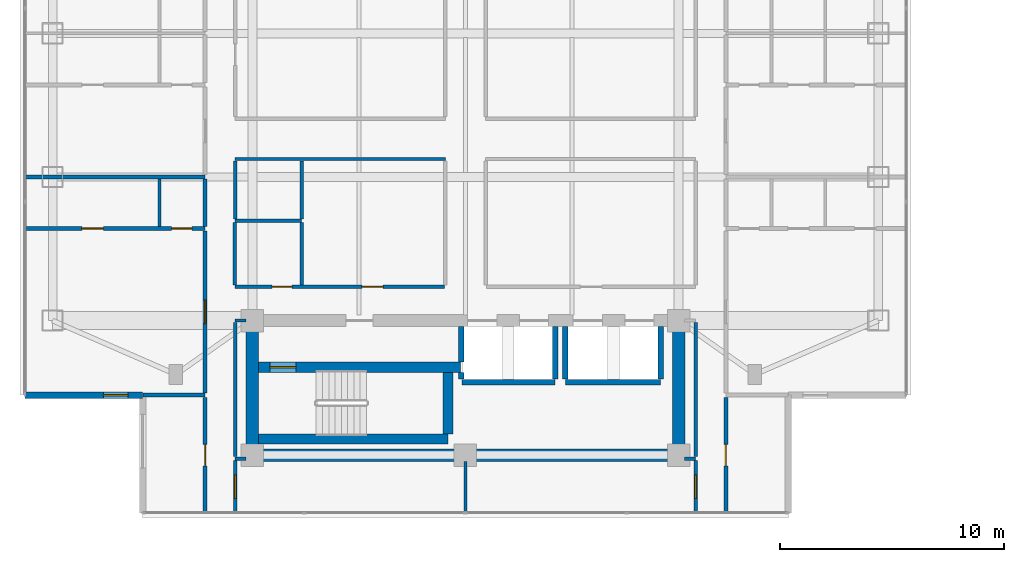
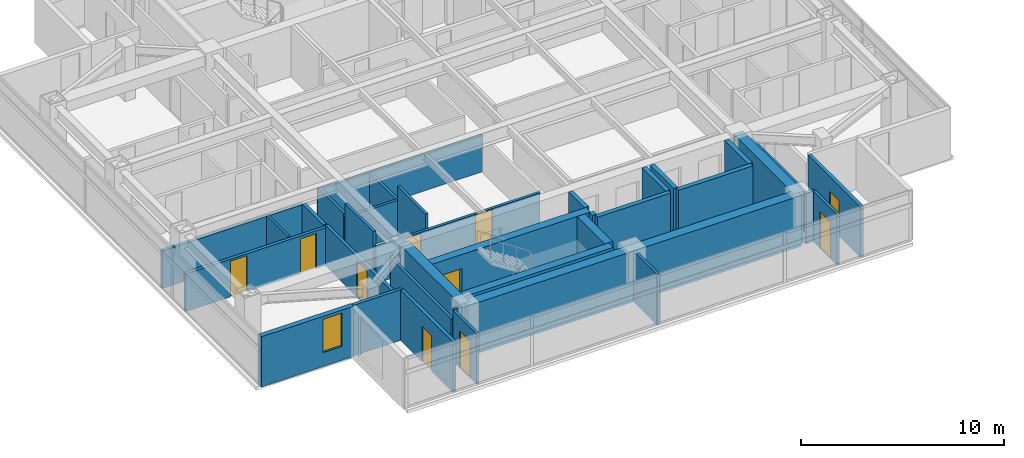
# One storey, part 12 of 24: 37 walls, 10 doors, 1 window, 11 openings.
"""IFC4 building model written with IfcOpenShell, lengths in metres."""

from ifc_helpers import new_model, si_unit, direction, frame, frame_2d, origin, place, context, subcontext, project, spatial, rectangle, extrude, material, layer, layer_set, type_object, element, fill, save


model = new_model("IFC4")

# Units and contexts
model_context = context("Model", 3, precision=1e-05, world=origin(), true_north=direction((0.0, 1.0)))
body_context = subcontext(model_context, "Body", "Model", "MODEL_VIEW")
ifc_project = project(units=[si_unit("LENGTHUNIT", "METRE"), si_unit("AREAUNIT", "SQUARE_METRE"), si_unit("VOLUMEUNIT", "CUBIC_METRE"), si_unit("PLANEANGLEUNIT", "RADIAN"), si_unit("MASSUNIT", "GRAM", prefix="KILO")], contexts=[model_context])

# Site, building, storey
site_placement = place(None, origin())
site = spatial("IfcSite", under=ifc_project, at=site_placement, CompositionType="ELEMENT")
building_placement = place(site_placement, origin())
building = spatial("IfcBuilding", under=site, at=building_placement, Name="Mirazonda Arch Towers", CompositionType="ELEMENT")
storey_placement = place(building_placement, frame((0.0, 0.0, 154.39990234375)))
storey = spatial("IfcBuildingStorey", under=building, at=storey_placement, Name="L43", CompositionType="ELEMENT", Elevation=154.39990234375)

# Wall
ifc_material_1 = material(Name="Concrete C50/60", Category="concrete")
ifc_layer_1 = layer(ifc_material_1, 0.449951171875, Name="WALL-CORE-450")
ifc_layer_set_1 = layer_set([ifc_layer_1], Name="Concrete C50/60")
wall_type_1 = type_object("IfcWallType", Name="WALL-CORE-450", PredefinedType="SHEAR", material=ifc_layer_set_1)
wall_1_placement = place(storey_placement, frame((11.27001953125, 13.1201171875, 0.0), z_axis=(0.0, 0.0, 1.0), x_axis=(1.0, 0.0, 0.0)))
element("IfcWall", 1, at=wall_1_placement, inside=storey, type_object=wall_type_1, Name="L43 Stair Core Shear Wall 003", PredefinedType="SHEAR", context=body_context, shape_type="SweptSolid", body=[
    extrude(rectangle(XDim=8.4599609375, YDim=0.449951171875, at=frame_2d((4.22998046875, 0.0))), origin(), (0.0, 0.0, 1.0), 3.050048828125),
])

# Wall, opening, door
wall_2_placement = place(storey_placement, frame((11.27001953125, 16.320068359375, 0.0), z_axis=(0.0, 0.0, 1.0), x_axis=(1.0, 0.0, 0.0)))
wall_2 = element("IfcWall", 2, at=wall_2_placement, inside=storey, type_object=wall_type_1, Name="L43 Stair Core Shear Wall 008", PredefinedType="SHEAR", context=body_context, shape_type="SweptSolid", body=[
    extrude(rectangle(XDim=9.010009765625, YDim=0.449951171875, at=frame_2d((4.5048828125, 0.0))), origin(), (0.0, 0.0, 1.0), 3.050048828125),
])
opening_1_placement = place(wall_2_placement, frame((0.52001953125, 0.0, 0.0)))
opening_1 = element("IfcOpeningElement", 3, at=opening_1_placement, cuts=wall_2, Name="Opening DR-135", PredefinedType="OPENING", context=body_context, shape_type="SweptSolid", body=[
    extrude(rectangle(XDim=1.14990234375, YDim=2.199951171875, at=frame_2d((0.574951171875, 1.10009765625))), frame((0.0, 0.23486328125, 0.0), z_axis=(0.0, -1.0, 0.0), x_axis=(1.0, 0.0, 0.0)), (0.0, 0.0, 1.0), 0.469970703125),
])
ifc_material_2 = material(Name="Architectural Brushed Steel S355", Category="steel")
door_type_1 = type_object("IfcDoorType", Name="DOOR-STAIR-FD90-1150", OperationType="NOTDEFINED", PredefinedType="DOOR", material=ifc_material_2)
door_1_placement = place(opening_1_placement, origin())
door_1 = element("IfcDoor", 4, at=door_1_placement, inside=storey, type_object=door_type_1, Name="L43 Protected Exit Stair South Door", OperationType="SINGLE_SWING_LEFT", OverallHeight=2.199951171875, OverallWidth=1.14990234375, PredefinedType="DOOR", context=body_context, shape_type="SweptSolid", body=[
    extrude(rectangle(XDim=1.14990234375, YDim=2.199951171875, at=frame_2d((0.574951171875, 1.10009765625))), frame((0.0, 0.02490234375, 0.0), z_axis=(0.0, -1.0, 0.0), x_axis=(1.0, 0.0, 0.0)), (0.0, 0.0, 1.0), 0.050048828125),
])
fill(opening_1, door_1)

# Walls
wall_3_placement = place(storey_placement, frame((19.72998046875, 13.35498046875, 0.0), z_axis=(0.0, 0.0, 1.0), x_axis=(0.0, 1.0, 0.0)))
element("IfcWall", 5, at=wall_3_placement, inside=storey, type_object=wall_type_1, Name="L43 Stair Core Shear Wall 088", PredefinedType="SHEAR", context=body_context, shape_type="SweptSolid", body=[
    extrude(rectangle(XDim=2.72998046875, YDim=0.449951171875, at=frame_2d((1.364990234375, 0.0))), origin(), (0.0, 0.0, 1.0), 3.050048828125),
])
ifc_layer_2 = layer(ifc_material_1, 0.550048828125, Name="WALL-CORE-550")
ifc_layer_set_2 = layer_set([ifc_layer_2], Name="Concrete C50/60")
wall_type_2 = type_object("IfcWallType", Name="WALL-CORE-550", PredefinedType="SHEAR", material=ifc_layer_set_2)
wall_4_placement = place(storey_placement, frame((11.0, 12.39990234375, 0.0), z_axis=(0.0, 0.0, 1.0), x_axis=(1.0, 0.0, 0.0)))
element("IfcWall", 6, at=wall_4_placement, inside=storey, type_object=wall_type_2, Name="L43 T1S-S Core Shear Wall", PredefinedType="SHEAR", context=body_context, shape_type="SweptSolid", body=[
    extrude(rectangle(XDim=19.0, YDim=0.550048828125, at=frame_2d((9.5, 0.0))), origin(), (0.0, 0.0, 1.0), 3.050048828125),
])
for number, where, z_axis, x_axis, name in (
    (7, (11.0, 12.39990234375, 0.0), (0.0, 0.0, 1.0), (0.0, 1.0, 0.0), "L43 T1S-W Core Shear Wall"),
    (8, (30.0, 12.39990234375, 0.0), (0.0, 0.0, 1.0), (0.0, 1.0, 0.0), "L43 T1S-E Core Shear Wall"),
):
    element("IfcWall", number, at=place(storey_placement, frame(where, z_axis=z_axis, x_axis=x_axis)), inside=storey, type_object=wall_type_2, Name=name, PredefinedType="SHEAR", context=body_context, shape_type="SweptSolid", body=[
        extrude(rectangle(XDim=6.0, YDim=0.550048828125, at=frame_2d((3.0, 0.0))), origin(), (0.0, 0.0, 1.0), 3.050048828125),
    ])

# Wall, opening, window
ifc_material_3 = material(Name="Precast Concrete C40/50", Category="concrete")
ifc_layer_3 = layer(ifc_material_3, 0.280029296875, Name="WALL-EXT-WALL-280")
ifc_layer_set_3 = layer_set([ifc_layer_3], Name="Precast Concrete C40/50")
wall_type_3 = type_object("IfcWallType", Name="WALL-EXT-WALL-280", PredefinedType="SOLIDWALL", material=ifc_layer_set_3)
wall_5_placement = place(storey_placement, frame((0.8701171875, 15.074951171875, 0.0), z_axis=(0.0, 0.0, 1.0), x_axis=(1.0, 0.0, 0.0)))
wall_5 = element("IfcWall", 9, at=wall_5_placement, inside=storey, type_object=wall_type_3, Name="L43 T1 Corner Notch Return Wall WL-L43-T1-CSW2", PredefinedType="SOLIDWALL", context=body_context, shape_type="SweptSolid", body=[
    extrude(rectangle(XDim=5.244873046875, YDim=0.280029296875, at=frame_2d((2.62255859375, 0.0))), origin(), (0.0, 0.0, 1.0), 3.030029296875),
])
opening_2_placement = place(wall_5_placement, frame((3.4951171875, 0.0, 0.85009765625)))
opening_2 = element("IfcOpeningElement", 10, at=opening_2_placement, cuts=wall_5, Name="Opening WN-108", PredefinedType="OPENING", context=body_context, shape_type="SweptSolid", body=[
    extrude(rectangle(XDim=1.10009765625, YDim=2.0, at=frame_2d((0.550048828125, 1.0))), frame((0.0, 0.14990234375, 0.0), z_axis=(0.0, -1.0, 0.0), x_axis=(1.0, 0.0, 0.0)), (0.0, 0.0, 1.0), 0.300048828125),
])
ifc_material_4 = material(Name="Insulated Low-E Solar Glass", Category="glass")
window_type = type_object("IfcWindowType", Name="WIN-NOTCH-1100x2000", PartitioningType="SINGLE_PANEL", PredefinedType="WINDOW", material=ifc_material_4)
window_placement = place(opening_2_placement, origin())
window = element("IfcWindow", 11, at=window_placement, inside=storey, type_object=window_type, Name="L43 Punched Facade Window WN-L43-T1-CSW2", OverallHeight=2.0, OverallWidth=1.10009765625, PartitioningType="SINGLE_PANEL", PredefinedType="WINDOW", context=body_context, shape_type="SweptSolid", body=[
    extrude(rectangle(XDim=1.10009765625, YDim=2.0, at=frame_2d((0.550048828125, 1.0))), frame((0.0, 0.030029296875, 0.0), z_axis=(0.0, -1.0, 0.0), x_axis=(1.0, 0.0, 0.0)), (0.0, 0.0, 1.0), 0.06005859375),
])
fill(opening_2, window)

# Walls
ifc_material_5 = material(Name="Fire-Rated Gypsum Stud Partition")
ifc_layer_4 = layer(ifc_material_5, 0.14990234375, Name="WALL-PART-CORR-150")
ifc_layer_set_4 = layer_set([ifc_layer_4], Name="Fire-Rated Gypsum Stud Partition")
wall_type_4 = type_object("IfcWallType", Name="WALL-PART-CORR-150", PredefinedType="PARTITIONING", material=ifc_layer_set_4)
for number, where, z_axis, x_axis, name in (
    (12, (10.239990234375, 12.25, 0.0), (0.0, 0.0, 1.0), (1.0, 0.0, 0.0), "L43 Interior Partition 001"),
    (13, (30.27001953125, 12.25, 0.0), (0.0, 0.0, 1.0), (1.0, 0.0, 0.0), "L43 Interior Partition 002"),
):
    element("IfcWall", number, at=place(storey_placement, frame(where, z_axis=z_axis, x_axis=x_axis)), inside=storey, type_object=wall_type_4, Name=name, PredefinedType="PARTITIONING", context=body_context, shape_type="SweptSolid", body=[
        extrude(rectangle(XDim=0.489990234375, YDim=0.14990234375, at=frame_2d((0.2451171875, 0.0))), origin(), (0.0, 0.0, 1.0), 3.050048828125),
    ])
wall_6_placement = place(storey_placement, frame((10.239990234375, 18.39990234375, 0.0), z_axis=(0.0, 0.0, 1.0), x_axis=(1.0, 0.0, 0.0)))
element("IfcWall", 14, at=wall_6_placement, inside=storey, type_object=wall_type_4, Name="L43 Interior Partition 012", PredefinedType="PARTITIONING", context=body_context, shape_type="SweptSolid", body=[
    extrude(rectangle(XDim=0.489990234375, YDim=0.14990234375, at=frame_2d((0.2451171875, 0.0))), origin(), (0.0, 0.0, 1.0), 2.442138671875),
])

# Wall, openings, doors
wall_7_placement = place(storey_placement, frame((10.219970703125, 19.89990234375, 0.0), z_axis=(0.0, 0.0, 1.0), x_axis=(1.0, 0.0, 0.0)))
wall_7 = element("IfcWall", 15, at=wall_7_placement, inside=storey, type_object=wall_type_4, Name="L43 Interior Partition 015", PredefinedType="PARTITIONING", context=body_context, shape_type="SweptSolid", body=[
    extrude(rectangle(XDim=9.340087890625, YDim=0.14990234375, at=frame_2d((4.669921875, 0.0))), origin(), (0.0, 0.0, 1.0), 2.18603515625),
])
opening_3_placement = place(wall_7_placement, frame((1.659912109375, 0.0, 0.0)))
opening_3 = element("IfcOpeningElement", 16, at=opening_3_placement, cuts=wall_7, Name="Opening DR-120", PredefinedType="OPENING", context=body_context, shape_type="SweptSolid", body=[
    extrude(rectangle(XDim=0.89990234375, YDim=2.10009765625, at=frame_2d((0.449951171875, 1.050048828125))), frame((0.0, 0.0849609375, 0.0), z_axis=(0.0, -1.0, 0.0), x_axis=(1.0, 0.0, 0.0)), (0.0, 0.0, 1.0), 0.169921875),
])
opening_4_placement = place(wall_7_placement, frame((5.6650390625, 0.0, 0.0)))
opening_4 = element("IfcOpeningElement", 17, at=opening_4_placement, cuts=wall_7, Name="Opening DR-104", PredefinedType="OPENING", context=body_context, shape_type="SweptSolid", body=[
    extrude(rectangle(XDim=0.949951171875, YDim=2.14990234375, at=frame_2d((0.47509765625, 1.074951171875))), frame((0.0, 0.0849609375, 0.0), z_axis=(0.0, -1.0, 0.0), x_axis=(1.0, 0.0, 0.0)), (0.0, 0.0, 1.0), 0.169921875),
])
door_type_2 = type_object("IfcDoorType", Name="DOOR-ROOM-950", OperationType="NOTDEFINED", PredefinedType="DOOR", material=ifc_material_2)
door_2_placement = place(opening_4_placement, origin())
door_2 = element("IfcDoor", 18, at=door_2_placement, inside=storey, type_object=door_type_2, Name="L43 L43 West Courtyard Study Door", OperationType="SINGLE_SWING_RIGHT", OverallHeight=2.14990234375, OverallWidth=0.949951171875, PredefinedType="DOOR", context=body_context, shape_type="SweptSolid", body=[
    extrude(rectangle(XDim=0.949951171875, YDim=2.14990234375, at=frame_2d((0.47509765625, 1.074951171875))), frame((0.0, 0.02490234375, 0.0), z_axis=(0.0, -1.0, 0.0), x_axis=(1.0, 0.0, 0.0)), (0.0, 0.0, 1.0), 0.050048828125),
])
fill(opening_4, door_2)
door_type_3 = type_object("IfcDoorType", Name="DOOR-WC-900", OperationType="NOTDEFINED", PredefinedType="DOOR", material=ifc_material_2)
door_3_placement = place(opening_3_placement, origin())
door_3 = element("IfcDoor", 19, at=door_3_placement, inside=storey, type_object=door_type_3, Name="L43 Common Accessible WC Door", OperationType="SINGLE_SWING_RIGHT", OverallHeight=2.10009765625, OverallWidth=0.89990234375, PredefinedType="DOOR", context=body_context, shape_type="SweptSolid", body=[
    extrude(rectangle(XDim=0.89990234375, YDim=2.10009765625, at=frame_2d((0.449951171875, 1.050048828125))), frame((0.0, 0.02490234375, 0.0), z_axis=(0.0, -1.0, 0.0), x_axis=(1.0, 0.0, 0.0)), (0.0, 0.0, 1.0), 0.050048828125),
])
fill(opening_3, door_3)

# Walls
wall_8_placement = place(storey_placement, frame((10.219970703125, 22.85009765625, 0.0), z_axis=(0.0, 0.0, 1.0), x_axis=(1.0, 0.0, 0.0)))
element("IfcWall", 20, at=wall_8_placement, inside=storey, type_object=wall_type_4, Name="L43 Interior Partition 024", PredefinedType="PARTITIONING", context=body_context, shape_type="SweptSolid", body=[
    extrude(rectangle(XDim=2.97998046875, YDim=0.14990234375, at=frame_2d((1.489990234375, 0.0))), origin(), (0.0, 0.0, 1.0), 2.18603515625),
])
wall_9_placement = place(storey_placement, frame((10.239990234375, 25.60009765625, 0.0), z_axis=(0.0, 0.0, 1.0), x_axis=(1.0, 0.0, 0.0)))
element("IfcWall", 21, at=wall_9_placement, inside=storey, type_object=wall_type_4, Name="L43 Interior Partition 029", PredefinedType="PARTITIONING", context=body_context, shape_type="SweptSolid", body=[
    extrude(rectangle(XDim=9.360107421875, YDim=0.14990234375, at=frame_2d((4.68017578125, 0.0))), origin(), (0.0, 0.0, 1.0), 2.18603515625),
])
wall_10_placement = place(storey_placement, frame((10.219970703125, 19.985107421875, 0.0), z_axis=(0.0, 0.0, 1.0), x_axis=(0.0, 1.0, 0.0)))
element("IfcWall", 22, at=wall_10_placement, inside=storey, type_object=wall_type_4, Name="L43 Interior Partition 075", PredefinedType="PARTITIONING", context=body_context, shape_type="SweptSolid", body=[
    extrude(rectangle(XDim=2.77978515625, YDim=0.14990234375, at=frame_2d((1.389892578125, 0.0))), origin(), (0.0, 0.0, 1.0), 3.050048828125),
])

# Wall, opening, door
wall_11_placement = place(storey_placement, frame((10.239990234375, 9.830078125, 0.0), z_axis=(0.0, 0.0, 1.0), x_axis=(0.0, 1.0, 0.0)))
wall_11 = element("IfcWall", 23, at=wall_11_placement, inside=storey, type_object=wall_type_4, Name="L43 Interior Partition 076", PredefinedType="PARTITIONING", context=body_context, shape_type="SweptSolid", body=[
    extrude(rectangle(XDim=2.3349609375, YDim=0.14990234375, at=frame_2d((1.16748046875, 0.0))), origin(), (0.0, 0.0, 1.0), 3.050048828125),
])
opening_5_placement = place(wall_11_placement, frame((0.642578125, 0.0, 0.0)))
opening_5 = element("IfcOpeningElement", 24, at=opening_5_placement, cuts=wall_11, Name="Opening DR-121", PredefinedType="OPENING", context=body_context, shape_type="SweptSolid", body=[
    extrude(rectangle(XDim=1.050048828125, YDim=2.199951171875, at=frame_2d((0.52490234375, 1.10009765625))), frame((0.0, 0.0849609375, 0.0), z_axis=(0.0, -1.0, 0.0), x_axis=(1.0, 0.0, 0.0)), (0.0, 0.0, 1.0), 0.169921875),
])
door_type_4 = type_object("IfcDoorType", Name="DOOR-SUITE-FD60-1050", OperationType="NOTDEFINED", PredefinedType="DOOR", material=ifc_material_2)
door_4_placement = place(opening_5_placement, origin())
door_4 = element("IfcDoor", 25, at=door_4_placement, inside=storey, type_object=door_type_4, Name="L43 South Panoramic Study West Door", OperationType="SINGLE_SWING_RIGHT", OverallHeight=2.199951171875, OverallWidth=1.050048828125, PredefinedType="DOOR", context=body_context, shape_type="SweptSolid", body=[
    extrude(rectangle(XDim=1.050048828125, YDim=2.199951171875, at=frame_2d((0.52490234375, 1.10009765625))), frame((0.0, 0.02490234375, 0.0), z_axis=(0.0, -1.0, 0.0), x_axis=(1.0, 0.0, 0.0)), (0.0, 0.0, 1.0), 0.050048828125),
])
fill(opening_5, door_4)

# Walls
wall_12_placement = place(storey_placement, frame((10.239990234375, 12.3349609375, 0.0), z_axis=(0.0, 0.0, 1.0), x_axis=(0.0, 1.0, 0.0)))
element("IfcWall", 26, at=wall_12_placement, inside=storey, type_object=wall_type_4, Name="L43 Interior Partition 077", PredefinedType="PARTITIONING", context=body_context, shape_type="SweptSolid", body=[
    extrude(rectangle(XDim=5.97998046875, YDim=0.14990234375, at=frame_2d((2.989990234375, 0.0))), origin(), (0.0, 0.0, 1.0), 2.442138671875),
])
wall_13_placement = place(storey_placement, frame((10.239990234375, 22.93505859375, 0.0), z_axis=(0.0, 0.0, 1.0), x_axis=(0.0, 1.0, 0.0)))
element("IfcWall", 27, at=wall_13_placement, inside=storey, type_object=wall_type_4, Name="L43 Interior Partition 078", PredefinedType="PARTITIONING", context=body_context, shape_type="SweptSolid", body=[
    extrude(rectangle(XDim=2.579833984375, YDim=0.14990234375, at=frame_2d((1.2900390625, 0.0))), origin(), (0.0, 0.0, 1.0), 2.34619140625),
])
wall_14_placement = place(storey_placement, frame((13.199951171875, 19.985107421875, 0.0), z_axis=(0.0, 0.0, 1.0), x_axis=(0.0, 1.0, 0.0)))
element("IfcWall", 28, at=wall_14_placement, inside=storey, type_object=wall_type_4, Name="L43 Interior Partition 083", PredefinedType="PARTITIONING", context=body_context, shape_type="SweptSolid", body=[
    extrude(rectangle(XDim=2.77978515625, YDim=0.14990234375, at=frame_2d((1.389892578125, 0.0))), origin(), (0.0, 0.0, 1.0), 3.050048828125),
])
wall_15_placement = place(storey_placement, frame((13.199951171875, 22.93505859375, 0.0), z_axis=(0.0, 0.0, 1.0), x_axis=(0.0, 1.0, 0.0)))
element("IfcWall", 29, at=wall_15_placement, inside=storey, type_object=wall_type_4, Name="L43 Interior Partition 084", PredefinedType="PARTITIONING", context=body_context, shape_type="SweptSolid", body=[
    extrude(rectangle(XDim=2.579833984375, YDim=0.14990234375, at=frame_2d((1.2900390625, 0.0))), origin(), (0.0, 0.0, 1.0), 2.18603515625),
])
wall_16_placement = place(storey_placement, frame((20.5, 9.830078125, 0.0), z_axis=(0.0, 0.0, 1.0), x_axis=(0.0, 1.0, 0.0)))
element("IfcWall", 30, at=wall_16_placement, inside=storey, type_object=wall_type_4, Name="L43 Interior Partition 093", PredefinedType="PARTITIONING", context=body_context, shape_type="SweptSolid", body=[
    extrude(rectangle(XDim=2.2998046875, YDim=0.14990234375, at=frame_2d((1.14990234375, 0.0))), origin(), (0.0, 0.0, 1.0), 3.050048828125),
])

# Wall, opening, door
wall_17_placement = place(storey_placement, frame((30.760009765625, 9.830078125, 0.0), z_axis=(0.0, 0.0, 1.0), x_axis=(0.0, 1.0, 0.0)))
wall_17 = element("IfcWall", 31, at=wall_17_placement, inside=storey, type_object=wall_type_4, Name="L43 Interior Partition 105", PredefinedType="PARTITIONING", context=body_context, shape_type="SweptSolid", body=[
    extrude(rectangle(XDim=2.3349609375, YDim=0.14990234375, at=frame_2d((1.16748046875, 0.0))), origin(), (0.0, 0.0, 1.0), 3.050048828125),
])
opening_6_placement = place(wall_17_placement, frame((0.642578125, 0.0, 0.0)))
opening_6 = element("IfcOpeningElement", 32, at=opening_6_placement, cuts=wall_17, Name="Opening DR-121", PredefinedType="OPENING", context=body_context, shape_type="SweptSolid", body=[
    extrude(rectangle(XDim=1.050048828125, YDim=2.199951171875, at=frame_2d((0.52490234375, 1.10009765625))), frame((0.0, 0.0849609375, 0.0), z_axis=(0.0, -1.0, 0.0), x_axis=(1.0, 0.0, 0.0)), (0.0, 0.0, 1.0), 0.169921875),
])
door_5_placement = place(opening_6_placement, origin())
door_5 = element("IfcDoor", 33, at=door_5_placement, inside=storey, type_object=door_type_4, Name="L43 South Panoramic Study East Door", OperationType="SINGLE_SWING_LEFT", OverallHeight=2.199951171875, OverallWidth=1.050048828125, PredefinedType="DOOR", context=body_context, shape_type="SweptSolid", body=[
    extrude(rectangle(XDim=1.050048828125, YDim=2.199951171875, at=frame_2d((0.52490234375, 1.10009765625))), frame((0.0, 0.02490234375, 0.0), z_axis=(0.0, -1.0, 0.0), x_axis=(1.0, 0.0, 0.0)), (0.0, 0.0, 1.0), 0.050048828125),
])
fill(opening_6, door_5)

# Walls
wall_18_placement = place(storey_placement, frame((30.760009765625, 12.3349609375, 0.0), z_axis=(0.0, 0.0, 1.0), x_axis=(0.0, 1.0, 0.0)))
element("IfcWall", 34, at=wall_18_placement, inside=storey, type_object=wall_type_4, Name="L43 Interior Partition 106", PredefinedType="PARTITIONING", context=body_context, shape_type="SweptSolid", body=[
    extrude(rectangle(XDim=5.97998046875, YDim=0.14990234375, at=frame_2d((2.989990234375, 0.0))), origin(), (0.0, 0.0, 1.0), 2.442138671875),
])
ifc_material_6 = material(Name="Fire-Rated Gypsum Twin-Stud Assembly")
ifc_layer_5 = layer(ifc_material_6, 0.179931640625, Name="WALL-PART-DEMISE-180")
ifc_layer_set_5 = layer_set([ifc_layer_5], Name="Fire-Rated Gypsum Twin-Stud Assembly")
wall_type_5 = type_object("IfcWallType", Name="WALL-PART-DEMISE-180", PredefinedType="PARTITIONING", material=ifc_layer_set_5)
wall_19_placement = place(storey_placement, frame((6.135009765625, 15.074951171875, 0.0), z_axis=(0.0, 0.0, 1.0), x_axis=(1.0, 0.0, 0.0)))
element("IfcWall", 35, at=wall_19_placement, inside=storey, type_object=wall_type_5, Name="L43 Interior Partition 004", PredefinedType="PARTITIONING", context=body_context, shape_type="SweptSolid", body=[
    extrude(rectangle(XDim=2.764892578125, YDim=0.179931640625, at=frame_2d((1.38232421875, 0.0))), origin(), (0.0, 0.0, 1.0), 3.050048828125),
])

# Wall, openings, doors
wall_20_placement = place(storey_placement, frame((0.8701171875, 22.5, 0.0), z_axis=(0.0, 0.0, 1.0), x_axis=(1.0, 0.0, 0.0)))
wall_20 = element("IfcWall", 36, at=wall_20_placement, inside=storey, type_object=wall_type_5, Name="L43 Interior Partition 021", PredefinedType="PARTITIONING", context=body_context, shape_type="SweptSolid", body=[
    extrude(rectangle(XDim=8.02978515625, YDim=0.179931640625, at=frame_2d((4.014892578125, 0.0))), origin(), (0.0, 0.0, 1.0), 2.26904296875),
])
opening_7_placement = place(wall_20_placement, frame((2.5400390625, 0.0, 0.0)))
opening_7 = element("IfcOpeningElement", 37, at=opening_7_placement, cuts=wall_20, Name="Opening DR-104", PredefinedType="OPENING", context=body_context, shape_type="SweptSolid", body=[
    extrude(rectangle(XDim=0.949951171875, YDim=2.14990234375, at=frame_2d((0.47509765625, 1.074951171875))), frame((0.0, 0.099853515625, 0.0), z_axis=(0.0, -1.0, 0.0), x_axis=(1.0, 0.0, 0.0)), (0.0, 0.0, 1.0), 0.199951171875),
])
opening_8_placement = place(wall_20_placement, frame((6.5400390625, 0.0, 0.0)))
opening_8 = element("IfcOpeningElement", 38, at=opening_8_placement, cuts=wall_20, Name="Opening DR-120", PredefinedType="OPENING", context=body_context, shape_type="SweptSolid", body=[
    extrude(rectangle(XDim=0.89990234375, YDim=2.10009765625, at=frame_2d((0.449951171875, 1.050048828125))), frame((0.0, 0.099853515625, 0.0), z_axis=(0.0, -1.0, 0.0), x_axis=(1.0, 0.0, 0.0)), (0.0, 0.0, 1.0), 0.199951171875),
])
door_6_placement = place(opening_7_placement, origin())
door_6 = element("IfcDoor", 39, at=door_6_placement, inside=storey, type_object=door_type_2, Name="L43 Studio 1 Galley Kitchen Door", OperationType="SINGLE_SWING_RIGHT", OverallHeight=2.14990234375, OverallWidth=0.949951171875, PredefinedType="DOOR", context=body_context, shape_type="SweptSolid", body=[
    extrude(rectangle(XDim=0.949951171875, YDim=2.14990234375, at=frame_2d((0.47509765625, 1.074951171875))), frame((0.0, 0.02490234375, 0.0), z_axis=(0.0, -1.0, 0.0), x_axis=(1.0, 0.0, 0.0)), (0.0, 0.0, 1.0), 0.050048828125),
])
fill(opening_7, door_6)
door_7_placement = place(opening_8_placement, origin())
door_7 = element("IfcDoor", 40, at=door_7_placement, inside=storey, type_object=door_type_3, Name="L43 Studio 1 Bathroom Door", OperationType="SINGLE_SWING_LEFT", OverallHeight=2.10009765625, OverallWidth=0.89990234375, PredefinedType="DOOR", context=body_context, shape_type="SweptSolid", body=[
    extrude(rectangle(XDim=0.89990234375, YDim=2.10009765625, at=frame_2d((0.449951171875, 1.050048828125))), frame((0.0, 0.02490234375, 0.0), z_axis=(0.0, -1.0, 0.0), x_axis=(1.0, 0.0, 0.0)), (0.0, 0.0, 1.0), 0.050048828125),
])
fill(opening_8, door_7)

# Wall
wall_21_placement = place(storey_placement, frame((0.8701171875, 24.800048828125, 0.0), z_axis=(0.0, 0.0, 1.0), x_axis=(1.0, 0.0, 0.0)))
element("IfcWall", 41, at=wall_21_placement, inside=storey, type_object=wall_type_5, Name="L43 Interior Partition 026", PredefinedType="PARTITIONING", context=body_context, shape_type="SweptSolid", body=[
    extrude(rectangle(XDim=8.02978515625, YDim=0.179931640625, at=frame_2d((4.014892578125, 0.0))), origin(), (0.0, 0.0, 1.0), 2.26904296875),
])

# Wall, opening, door
wall_22_placement = place(storey_placement, frame((8.89990234375, 9.830078125, 0.0), z_axis=(0.0, 0.0, 1.0), x_axis=(0.0, 1.0, 0.0)))
wall_22 = element("IfcWall", 42, at=wall_22_placement, inside=storey, type_object=wall_type_5, Name="L43 Interior Partition 067", PredefinedType="PARTITIONING", context=body_context, shape_type="SweptSolid", body=[
    extrude(rectangle(XDim=5.14501953125, YDim=0.179931640625, at=frame_2d((2.572509765625, 0.0))), origin(), (0.0, 0.0, 1.0), 3.050048828125),
])
opening_9_placement = place(wall_22_placement, frame((2.097412109375, 0.0, 0.0)))
opening_9 = element("IfcOpeningElement", 43, at=opening_9_placement, cuts=wall_22, Name="Opening DR-104", PredefinedType="OPENING", context=body_context, shape_type="SweptSolid", body=[
    extrude(rectangle(XDim=0.949951171875, YDim=2.14990234375, at=frame_2d((0.47509765625, 1.074951171875))), frame((0.0, 0.099853515625, 0.0), z_axis=(0.0, -1.0, 0.0), x_axis=(1.0, 0.0, 0.0)), (0.0, 0.0, 1.0), 0.199951171875),
])
door_8_placement = place(opening_9_placement, origin())
door_8 = element("IfcDoor", 44, at=door_8_placement, inside=storey, type_object=door_type_2, Name="L43 South Panoramic Study Alcove West Door", OperationType="SINGLE_SWING_RIGHT", OverallHeight=2.14990234375, OverallWidth=0.949951171875, PredefinedType="DOOR", context=body_context, shape_type="SweptSolid", body=[
    extrude(rectangle(XDim=0.949951171875, YDim=2.14990234375, at=frame_2d((0.47509765625, 1.074951171875))), frame((0.0, 0.02490234375, 0.0), z_axis=(0.0, -1.0, 0.0), x_axis=(1.0, 0.0, 0.0)), (0.0, 0.0, 1.0), 0.050048828125),
])
fill(opening_9, door_8)

wall_23_placement = place(storey_placement, frame((8.89990234375, 15.175048828125, 0.0), z_axis=(0.0, 0.0, 1.0), x_axis=(0.0, 1.0, 0.0)))
wall_23 = element("IfcWall", 45, at=wall_23_placement, inside=storey, type_object=wall_type_5, Name="L43 Interior Partition 068", PredefinedType="PARTITIONING", context=body_context, shape_type="SweptSolid", body=[
    extrude(rectangle(XDim=7.224853515625, YDim=0.179931640625, at=frame_2d((3.6123046875, 0.0))), origin(), (0.0, 0.0, 1.0), 2.442138671875),
])
opening_10_placement = place(wall_23_placement, frame((3.08740234375, 0.0, 0.0)))
opening_10 = element("IfcOpeningElement", 46, at=opening_10_placement, cuts=wall_23, Name="Opening DR-121", PredefinedType="OPENING", context=body_context, shape_type="SweptSolid", body=[
    extrude(rectangle(XDim=1.050048828125, YDim=2.199951171875, at=frame_2d((0.52490234375, 1.10009765625))), frame((0.0, 0.099853515625, 0.0), z_axis=(0.0, -1.0, 0.0), x_axis=(1.0, 0.0, 0.0)), (0.0, 0.0, 1.0), 0.199951171875),
])
door_9_placement = place(opening_10_placement, origin())
door_9 = element("IfcDoor", 47, at=door_9_placement, inside=storey, type_object=door_type_4, Name="L43 Studio Apartment 1 Living Salon Door", OperationType="SINGLE_SWING_LEFT", OverallHeight=2.199951171875, OverallWidth=1.050048828125, PredefinedType="DOOR", context=body_context, shape_type="SweptSolid", body=[
    extrude(rectangle(XDim=1.050048828125, YDim=2.199951171875, at=frame_2d((0.52490234375, 1.10009765625))), frame((0.0, 0.02490234375, 0.0), z_axis=(0.0, -1.0, 0.0), x_axis=(1.0, 0.0, 0.0)), (0.0, 0.0, 1.0), 0.050048828125),
])
fill(opening_10, door_9)

# Wall
wall_24_placement = place(storey_placement, frame((8.89990234375, 22.60009765625, 0.0), z_axis=(0.0, 0.0, 1.0), x_axis=(0.0, 1.0, 0.0)))
element("IfcWall", 48, at=wall_24_placement, inside=storey, type_object=wall_type_5, Name="L43 Interior Partition 069", PredefinedType="PARTITIONING", context=body_context, shape_type="SweptSolid", body=[
    extrude(rectangle(XDim=2.099853515625, YDim=0.179931640625, at=frame_2d((1.0498046875, 0.0))), origin(), (0.0, 0.0, 1.0), 2.34619140625),
])

# Wall, opening, door
wall_25_placement = place(storey_placement, frame((32.10009765625, 9.830078125, 0.0), z_axis=(0.0, 0.0, 1.0), x_axis=(0.0, 1.0, 0.0)))
wall_25 = element("IfcWall", 49, at=wall_25_placement, inside=storey, type_object=wall_type_5, Name="L43 Interior Partition 111", PredefinedType="PARTITIONING", context=body_context, shape_type="SweptSolid", body=[
    extrude(rectangle(XDim=5.14501953125, YDim=0.179931640625, at=frame_2d((2.572509765625, 0.0))), origin(), (0.0, 0.0, 1.0), 3.050048828125),
])
opening_11_placement = place(wall_25_placement, frame((2.097412109375, 0.0, 0.0)))
opening_11 = element("IfcOpeningElement", 50, at=opening_11_placement, cuts=wall_25, Name="Opening DR-104", PredefinedType="OPENING", context=body_context, shape_type="SweptSolid", body=[
    extrude(rectangle(XDim=0.949951171875, YDim=2.14990234375, at=frame_2d((0.47509765625, 1.074951171875))), frame((0.0, 0.099853515625, 0.0), z_axis=(0.0, -1.0, 0.0), x_axis=(1.0, 0.0, 0.0)), (0.0, 0.0, 1.0), 0.199951171875),
])
door_10_placement = place(opening_11_placement, origin())
door_10 = element("IfcDoor", 51, at=door_10_placement, inside=storey, type_object=door_type_2, Name="L43 South Panoramic Study Alcove East Door", OperationType="SINGLE_SWING_LEFT", OverallHeight=2.14990234375, OverallWidth=0.949951171875, PredefinedType="DOOR", context=body_context, shape_type="SweptSolid", body=[
    extrude(rectangle(XDim=0.949951171875, YDim=2.14990234375, at=frame_2d((0.47509765625, 1.074951171875))), frame((0.0, 0.02490234375, 0.0), z_axis=(0.0, -1.0, 0.0), x_axis=(1.0, 0.0, 0.0)), (0.0, 0.0, 1.0), 0.050048828125),
])
fill(opening_11, door_10)

# Walls
ifc_material_7 = material(Name="Acoustic Fire-Rated Gypsum Partition")
ifc_layer_6 = layer(ifc_material_7, 0.125, Name="WALL-PART-UNIT-125")
ifc_layer_set_6 = layer_set([ifc_layer_6], Name="Acoustic Fire-Rated Gypsum Partition")
wall_type_6 = type_object("IfcWallType", Name="WALL-PART-UNIT-125", PredefinedType="PARTITIONING", material=ifc_layer_set_6)
wall_26_placement = place(storey_placement, frame((6.860107421875, 22.60009765625, 0.0), z_axis=(0.0, 0.0, 1.0), x_axis=(0.0, 1.0, 0.0)))
element("IfcWall", 52, at=wall_26_placement, inside=storey, type_object=wall_type_6, Name="L43 Interior Partition 064", PredefinedType="PARTITIONING", context=body_context, shape_type="SweptSolid", body=[
    extrude(rectangle(XDim=2.099853515625, YDim=0.125, at=frame_2d((1.0498046875, 0.0))), origin(), (0.0, 0.0, 1.0), 2.34619140625),
])
ifc_material_8 = material(Name="Concrete C40/50", Category="concrete")
ifc_layer_7 = layer(ifc_material_8, 0.25, Name="WALL-SHAFT-250")
ifc_layer_set_7 = layer_set([ifc_layer_7], Name="Concrete C40/50")
wall_type_7 = type_object("IfcWallType", Name="WALL-SHAFT-250", PredefinedType="SOLIDWALL", material=ifc_layer_set_7)
wall_27_placement = place(storey_placement, frame((20.35009765625, 15.64990234375, 0.0), z_axis=(0.0, 0.0, 1.0), x_axis=(1.0, 0.0, 0.0)))
element("IfcWall", 53, at=wall_27_placement, inside=storey, type_object=wall_type_7, Name="L43 Interior Partition 006", PredefinedType="SOLIDWALL", context=body_context, shape_type="SweptSolid", body=[
    extrude(rectangle(XDim=4.14990234375, YDim=0.25, at=frame_2d((2.074951171875, 0.0))), origin(), (0.0, 0.0, 1.0), 3.050048828125),
])
wall_28_placement = place(storey_placement, frame((24.949951171875, 15.64990234375, 0.0), z_axis=(0.0, 0.0, 1.0), x_axis=(1.0, 0.0, 0.0)))
element("IfcWall", 54, at=wall_28_placement, inside=storey, type_object=wall_type_7, Name="L43 Interior Partition 007", PredefinedType="SOLIDWALL", context=body_context, shape_type="SweptSolid", body=[
    extrude(rectangle(XDim=4.25, YDim=0.25, at=frame_2d((2.125, 0.0))), origin(), (0.0, 0.0, 1.0), 3.050048828125),
])
wall_29_placement = place(storey_placement, frame((20.31494140625, 15.784912109375, 0.0), z_axis=(0.0, 0.0, 1.0), x_axis=(0.0, 1.0, 0.0)))
element("IfcWall", 55, at=wall_29_placement, inside=storey, type_object=wall_type_7, Name="L43 Interior Partition 090", PredefinedType="SOLIDWALL", context=body_context, shape_type="SweptSolid", body=[
    extrude(rectangle(XDim=0.300048828125, YDim=0.25, at=frame_2d((0.14990234375, 0.0))), origin(), (0.0, 0.0, 1.0), 3.050048828125),
])
wall_30_placement = place(storey_placement, frame((20.31494140625, 16.554931640625, 0.0), z_axis=(0.0, 0.0, 1.0), x_axis=(0.0, 1.0, 0.0)))
element("IfcWall", 56, at=wall_30_placement, inside=storey, type_object=wall_type_7, Name="L43 Interior Partition 091", PredefinedType="SOLIDWALL", context=body_context, shape_type="SweptSolid", body=[
    extrude(rectangle(XDim=1.574951171875, YDim=0.25, at=frame_2d((0.78759765625, 0.0))), origin(), (0.0, 0.0, 1.0), 3.050048828125),
])
for number, where, z_axis, x_axis, name in (
    (57, (24.5, 15.784912109375, 0.0), (0.0, 0.0, 1.0), (0.0, 1.0, 0.0), "L43 Interior Partition 097"),
    (58, (24.949951171875, 15.784912109375, 0.0), (0.0, 0.0, 1.0), (0.0, 1.0, 0.0), "L43 Interior Partition 099"),
    (59, (29.199951171875, 15.784912109375, 0.0), (0.0, 0.0, 1.0), (0.0, 1.0, 0.0), "L43 Interior Partition 102"),
):
    element("IfcWall", number, at=place(storey_placement, frame(where, z_axis=z_axis, x_axis=x_axis)), inside=storey, type_object=wall_type_7, Name=name, PredefinedType="SOLIDWALL", context=body_context, shape_type="SweptSolid", body=[
        extrude(rectangle(XDim=2.344970703125, YDim=0.25, at=frame_2d((1.17236328125, 0.0))), origin(), (0.0, 0.0, 1.0), 3.050048828125),
    ])

save(model, "model.ifc")
